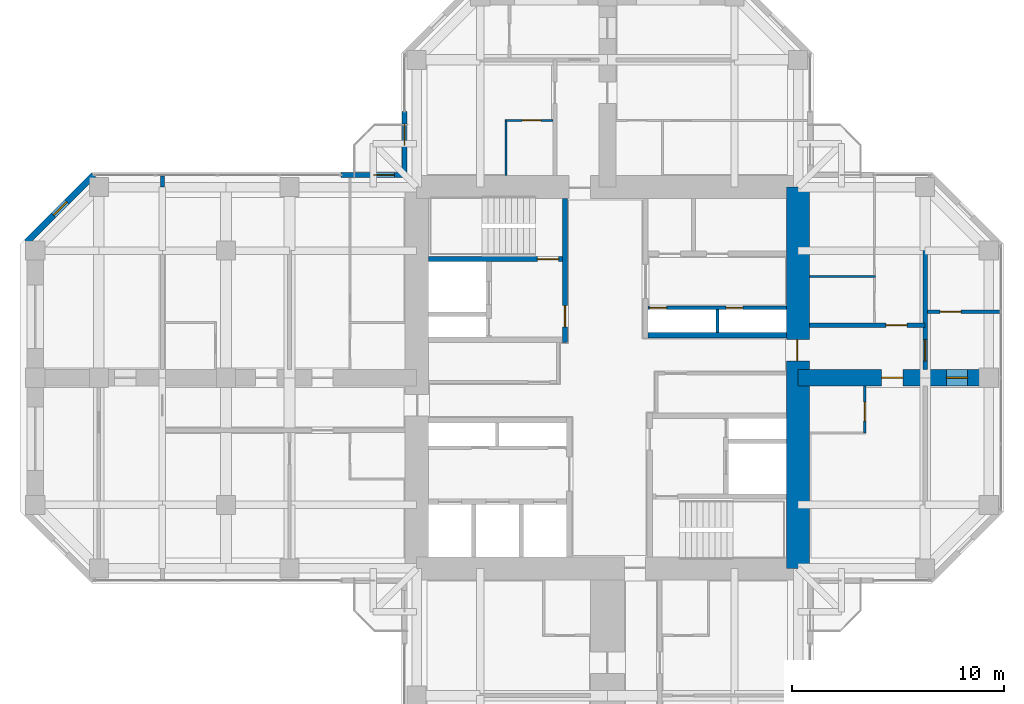
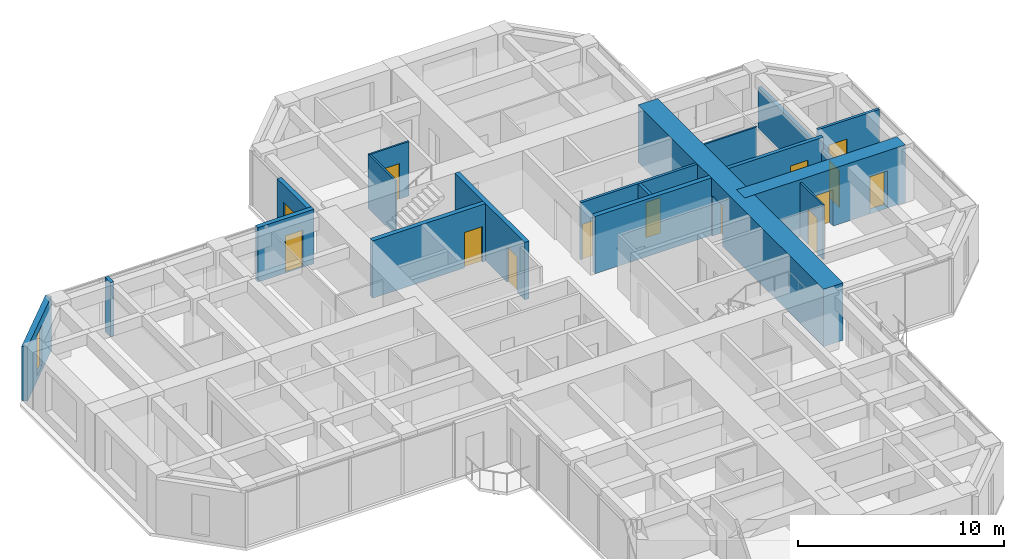
# One storey, part 11 of 14: 18 walls, 14 doors, 1 window, 15 openings.
"""IFC4 building model written with IfcOpenShell, lengths in metres."""

import ifcopenshell
import ifcopenshell.guid

model = None  # the IFC model being written
_history = None  # IfcOwnerHistory: only IFC2X3 demands one
_inside = {}  # id of a spatial element -> (the spatial element, [elements in it])
_under = {}  # id of a project, library or spatial element -> (it, [spatial elements below it])
_declared = {}  # id of a project -> (the project, [libraries it declares])
_typed = {}  # id of a type object -> (the type object, [elements of that type])
_made_of = {}  # id of a material, layer set ... -> (it, [elements and type objects made of it])


def new_model(schema):
    """Start an empty IFC model of exactly this schema.

    Asked for "IFC4X3", IfcOpenShell would pick the latest addendum, in which some entities
    have other attributes; the version numbers below select the first issue.
    IFC2X3 requires an IfcOwnerHistory on every rooted entity: one is made here for all.
    """
    global model, _history
    if schema == "IFC4X3":
        model = ifcopenshell.file(schema_version=(4, 3, 0, 0))
    else:
        model = ifcopenshell.file(schema=schema)
    _inside.clear()
    _under.clear()
    _declared.clear()
    _typed.clear()
    _made_of.clear()
    _history = None
    if model.schema == "IFC2X3":
        org = make("IfcOrganization", Name="unknown")
        user = make(
            "IfcPersonAndOrganization",
            ThePerson=make("IfcPerson", FamilyName="unknown"),
            TheOrganization=org,
        )
        app = make(
            "IfcApplication",
            ApplicationDeveloper=org,
            Version="unknown",
            ApplicationFullName="unknown",
            ApplicationIdentifier="unknown",
        )
        _history = make(
            "IfcOwnerHistory",
            OwningUser=user,
            OwningApplication=app,
            ChangeAction="ADDED",
            CreationDate=0,
        )
    return model


def make(cls, **values):
    """One entity of the class cls with the attributes given. An attribute that is None is left unset."""
    return model.create_entity(
        cls, **{name: value for name, value in values.items() if value is not None}
    )


def rooted(cls, **values):
    """An entity with a GlobalId (a new one), such as an element, a storey or a relation."""
    return make(cls, GlobalId=ifcopenshell.guid.new(), OwnerHistory=_history, **values)


def si_unit(unit_type, name, prefix=None):
    """IfcSIUnit, for example si_unit("LENGTHUNIT", "METRE", prefix="MILLI")."""
    return make("IfcSIUnit", UnitType=unit_type, Prefix=prefix, Name=name)


def assignment(units):
    """IfcUnitAssignment: the units of a project."""
    return None if units is None else make("IfcUnitAssignment", Units=units)


def point(xyz):
    """IfcCartesianPoint."""
    return None if xyz is None else make("IfcCartesianPoint", Coordinates=xyz)


def direction(xyz):
    """IfcDirection."""
    return None if xyz is None else make("IfcDirection", DirectionRatios=xyz)


def frame(location, z_axis=None, x_axis=None):
    """IfcAxis2Placement3D, a coordinate frame: its origin and axes. An axis left out is left unset."""
    return make(
        "IfcAxis2Placement3D",
        Location=point(location),
        Axis=direction(z_axis),
        RefDirection=direction(x_axis),
    )


def frame_2d(location, x_axis=None):
    """IfcAxis2Placement2D, a coordinate frame in the plane: its origin and x axis."""
    return make(
        "IfcAxis2Placement2D", Location=point(location), RefDirection=direction(x_axis)
    )


def origin():
    """The frame at (0, 0, 0) with its axes left unset."""
    return frame((0.0, 0.0, 0.0))


def place(relative_to, where):
    """IfcLocalPlacement: puts the frame where relative to a parent placement (None: the world)."""
    return make(
        "IfcLocalPlacement", PlacementRelTo=relative_to, RelativePlacement=where
    )


def context(
    kind, dimensions, precision=None, world=None, true_north=None, identifier=None
):
    """IfcGeometricRepresentationContext, for example the 3D "Model" context."""
    return make(
        "IfcGeometricRepresentationContext",
        ContextIdentifier=identifier,
        ContextType=kind,
        CoordinateSpaceDimension=dimensions,
        Precision=precision,
        WorldCoordinateSystem=world,
        TrueNorth=true_north,
    )


def subcontext(parent, identifier, kind, view, scale=None):
    """IfcGeometricRepresentationSubContext, for example "Body" below "Model"."""
    return make(
        "IfcGeometricRepresentationSubContext",
        ContextIdentifier=identifier,
        ContextType=kind,
        ParentContext=parent,
        TargetScale=scale,
        TargetView=view,
    )


def project(units=None, contexts=None):
    """IfcProject with its units and contexts."""
    return rooted(
        "IfcProject",
        Name="project",
        RepresentationContexts=contexts,
        UnitsInContext=assignment(units),
    )


def spatial(cls, under=None, at=None, **own):
    """A site, building, storey or space (cls), placed at a placement, below another one or the project."""
    s = rooted(cls, ObjectPlacement=at, **own)
    if under is not None:
        _under.setdefault(under.id(), (under, []))[1].append(s)
    return s


def profile(cls, at=None, kind="AREA", **sizes):
    """A parametric profile (cls). Its sizes go by their IFC names, for example OverallWidth=200.0."""
    return make(cls, ProfileType=kind, Position=at, **sizes)


def rectangle(**sizes):
    """IfcRectangleProfileDef."""
    return profile("IfcRectangleProfileDef", **sizes)


def hollow_rectangle(**sizes):
    """IfcRectangleHollowProfileDef."""
    return profile("IfcRectangleHollowProfileDef", **sizes)


def extrude(swept, where, along, depth):
    """IfcExtrudedAreaSolid: the profile swept, set in the frame where, extruded along a direction by depth."""
    return make(
        "IfcExtrudedAreaSolid",
        SweptArea=swept,
        Position=where,
        ExtrudedDirection=direction(along),
        Depth=depth,
    )


def shape(context_of_items, identifier, shape_type, items):
    """IfcShapeRepresentation: the items that make up one representation, for example the "Body"."""
    return make(
        "IfcShapeRepresentation",
        ContextOfItems=context_of_items,
        RepresentationIdentifier=identifier,
        RepresentationType=shape_type,
        Items=items,
    )


def material(Name=None, Category=None):
    """IfcMaterial."""
    return make("IfcMaterial", Name=Name, Category=Category)


def layer(
    of_material, thickness, ventilated=None, Name=None, Category=None, Priority=None
):
    """IfcMaterialLayer: one layer of a wall or slab, of a material (None: an air gap)."""
    return make(
        "IfcMaterialLayer",
        Material=of_material,
        LayerThickness=thickness,
        IsVentilated=ventilated,
        Name=Name,
        Category=Category,
        Priority=Priority,
    )


def layer_set(layers, Name=None):
    """IfcMaterialLayerSet."""
    return make("IfcMaterialLayerSet", MaterialLayers=layers, LayerSetName=Name)


def constituent(of_material, Name=None, Category=None, fraction=None):
    """IfcMaterialConstituent: one of the materials an element consists of."""
    return make(
        "IfcMaterialConstituent",
        Name=Name,
        Material=of_material,
        Fraction=fraction,
        Category=Category,
    )


def constituent_set(constituents=None, Name=None):
    """IfcMaterialConstituentSet."""
    return make(
        "IfcMaterialConstituentSet", Name=Name, MaterialConstituents=constituents
    )


def made_of(thing, what):
    """Note that an element or type object is made of a material, layer set ...; save() writes the relation."""
    if what is not None:
        _made_of.setdefault(what.id(), (what, []))[1].append(thing)
    return thing


def type_object(cls, material=None, **own):
    """A type object (cls), such as IfcWallType, which elements share."""
    return made_of(rooted(cls, **own), material)


def element(
    cls,
    number,
    at=None,
    inside=None,
    cuts=None,
    type_object=None,
    material=None,
    context=None,
    identifier="Body",
    shape_type=None,
    held_by="IfcProductDefinitionShape",
    body=None,
    shapes=None,
    **own,
):
    """One element of the class cls, such as IfcWall. Its Tag is "e" and its number.

    at: its placement. inside: the storey or other place that contains it. cuts: it is an
    opening in that element (IfcRelVoidsElement). A single representation is given by context,
    identifier, shape_type and body (its items); several are given by shapes. held_by: the class
    of the entity that holds the representations. save() writes the other relations.
    """
    e = rooted(cls, Tag="e%d" % number, ObjectPlacement=at, **own)
    if body is not None:
        shapes = [shape(context, identifier, shape_type, body)]
    if shapes is not None:
        e.Representation = make(held_by, Representations=shapes)
    if inside is not None:
        _inside.setdefault(inside.id(), (inside, []))[1].append(e)
    if cuts is not None:
        rooted(
            "IfcRelVoidsElement", RelatingBuildingElement=cuts, RelatedOpeningElement=e
        )
    if type_object is not None:
        _typed.setdefault(type_object.id(), (type_object, []))[1].append(e)
    return made_of(e, material)


def fill(opening, filler):
    """IfcRelFillsElement: the door or window that sits in an opening."""
    return rooted(
        "IfcRelFillsElement",
        RelatingOpeningElement=opening,
        RelatedBuildingElement=filler,
    )


def aggregate(whole, parts):
    """IfcRelAggregates: a whole, such as a stair, and the parts it consists of."""
    return rooted("IfcRelAggregates", RelatingObject=whole, RelatedObjects=parts)


def save(model, path):
    """Write the relations noted so far, then the file.

    IfcRelAggregates (storeys below a building ...), IfcRelContainedInSpatialStructure (elements
    in a storey), IfcRelDefinesByType, IfcRelAssociatesMaterial and IfcRelDeclares: one each for
    every whole, place, type object, material and project.
    """
    for whole, parts in _under.values():
        aggregate(whole, parts)
    for where, things in _inside.values():
        rooted(
            "IfcRelContainedInSpatialStructure",
            RelatedElements=things,
            RelatingStructure=where,
        )
    for kind, things in _typed.values():
        rooted("IfcRelDefinesByType", RelatedObjects=things, RelatingType=kind)
    for what, things in _made_of.values():
        rooted("IfcRelAssociatesMaterial", RelatedObjects=things, RelatingMaterial=what)
    for by, libraries in _declared.values():
        rooted("IfcRelDeclares", RelatingContext=by, RelatedDefinitions=libraries)
    model.write(path)


model = new_model("IFC4")

# Units and contexts
model_context = context("Model", 3, precision=1e-05, world=origin(), true_north=direction((0.0, 1.0)))
body_context = subcontext(model_context, "Body", "Model", "MODEL_VIEW")
ifc_project = project(units=[si_unit("LENGTHUNIT", "METRE"), si_unit("AREAUNIT", "SQUARE_METRE"), si_unit("VOLUMEUNIT", "CUBIC_METRE"), si_unit("PLANEANGLEUNIT", "RADIAN"), si_unit("MASSUNIT", "GRAM", prefix="KILO")], contexts=[model_context])

# Site, building, storey
site_placement = place(None, origin())
site = spatial("IfcSite", under=ifc_project, at=site_placement, CompositionType="ELEMENT")
building_placement = place(site_placement, origin())
building = spatial("IfcBuilding", under=site, at=building_placement, Name="Torre Cruceta", CompositionType="ELEMENT")
storey_placement = place(building_placement, frame((0.0, 0.0, 203.5)))
storey = spatial("IfcBuildingStorey", under=building, at=storey_placement, Name="L51", CompositionType="ELEMENT", Elevation=203.5)

# Wall
ifc_material_1 = material(Name="Water-resistant plasterboard on steel studs", Category="steel")
ifc_layer_1 = layer(ifc_material_1, 0.10009765625)
ifc_layer_set_1 = layer_set([ifc_layer_1], Name="Water-resistant plasterboard on steel studs")
wall_type_1 = type_object("IfcWallType", Name="BATHROOM WALL 100", PredefinedType="PARTITIONING", material=ifc_layer_set_1)
wall_1_placement = place(storey_placement, frame((-4.77490234375, 9.550048828125, 0.0), z_axis=(0.0, 0.0, 1.0), x_axis=(0.0, 1.0, 0.0)))
element("IfcWall", 1, at=wall_1_placement, inside=storey, type_object=wall_type_1, Name="PT4 L51-N-U1LBB", PredefinedType="PARTITIONING", context=body_context, shape_type="SweptSolid", body=[
    extrude(rectangle(XDim=2.64990234375, YDim=0.10009765625, at=frame_2d((1.324951171875, 0.0))), origin(), (0.0, 0.0, 1.0), 3.219970703125),
])

# Wall, opening, door
wall_2_placement = place(storey_placement, frame((-2.574951171875, 12.14990234375, 0.0), z_axis=(0.0, 0.0, 1.0), x_axis=(-1.0, 0.0, 0.0)))
wall_2 = element("IfcWall", 2, at=wall_2_placement, inside=storey, type_object=wall_type_1, Name="PT4 L51-N-U1LBS", PredefinedType="PARTITIONING", context=body_context, shape_type="SweptSolid", body=[
    extrude(rectangle(XDim=2.199951171875, YDim=0.10009765625, at=frame_2d((1.10009765625, 0.0))), origin(), (0.0, 0.0, 1.0), 3.219970703125),
])
opening_1_placement = place(wall_2_placement, frame((0.550048828125, 0.0, 0.0)))
opening_1 = element("IfcOpeningElement", 3, at=opening_1_placement, cuts=wall_2, Name="Opening D7", PredefinedType="OPENING", context=body_context, shape_type="SweptSolid", body=[
    extrude(rectangle(XDim=0.89990234375, YDim=2.10009765625, at=frame_2d((0.449951171875, 1.050048828125))), frame((0.0, 0.06005859375, 0.0), z_axis=(0.0, -1.0, 0.0), x_axis=(1.0, 0.0, 0.0)), (0.0, 0.0, 1.0), 0.1201171875),
])
ifc_material_2 = material(Name="Timber door", Category="wood")
door_type_1 = type_object("IfcDoorType", Name="BATHROOM DOOR 900X2100", OperationType="SINGLE_SWING_LEFT", PredefinedType="DOOR", material=ifc_material_2)
door_1_placement = place(opening_1_placement, origin())
door_1 = element("IfcDoor", 4, at=door_1_placement, inside=storey, type_object=door_type_1, Name="D7 L51-N-U1LBS-D1", OperationType="SINGLE_SWING_LEFT", OverallHeight=2.10009765625, OverallWidth=0.89990234375, PredefinedType="DOOR", context=body_context, shape_type="SweptSolid", body=[
    extrude(rectangle(XDim=0.89990234375, YDim=2.10009765625, at=frame_2d((0.449951171875, 1.050048828125))), frame((0.0, 0.02490234375, 0.0), z_axis=(0.0, -1.0, 0.0), x_axis=(1.0, 0.0, 0.0)), (0.0, 0.0, 1.0), 0.050048828125),
])
fill(opening_1, door_1)

# Wall
wall_3_placement = place(storey_placement, frame((9.550048828125, 4.77490234375, 0.0), z_axis=(0.0, 0.0, 1.0), x_axis=(1.0, 0.0, 0.0)))
element("IfcWall", 5, at=wall_3_placement, inside=storey, type_object=wall_type_1, Name="PT4 L51-E-U1LBB", PredefinedType="PARTITIONING", context=body_context, shape_type="SweptSolid", body=[
    extrude(rectangle(XDim=3.099853515625, YDim=0.10009765625, at=frame_2d((1.5498046875, 0.0))), origin(), (0.0, 0.0, 1.0), 3.219970703125),
])

# Wall, opening, door
wall_4_placement = place(storey_placement, frame((12.14990234375, -2.60009765625, 0.0), z_axis=(0.0, 0.0, 1.0), x_axis=(0.0, 1.0, 0.0)))
wall_4 = element("IfcWall", 6, at=wall_4_placement, inside=storey, type_object=wall_type_1, Name="PT4 L51-E-U1RBS", PredefinedType="PARTITIONING", context=body_context, shape_type="SweptSolid", body=[
    extrude(rectangle(XDim=2.2001953125, YDim=0.10009765625, at=frame_2d((1.10009765625, 0.0))), origin(), (0.0, 0.0, 1.0), 3.219970703125),
])
opening_2_placement = place(wall_4_placement, frame((0.550048828125, 0.0, 0.0)))
opening_2 = element("IfcOpeningElement", 7, at=opening_2_placement, cuts=wall_4, Name="Opening D7", PredefinedType="OPENING", context=body_context, shape_type="SweptSolid", body=[
    extrude(rectangle(XDim=0.89990234375, YDim=2.10009765625, at=frame_2d((0.449951171875, 1.050048828125))), frame((0.0, 0.06005859375, 0.0), z_axis=(0.0, -1.0, 0.0), x_axis=(1.0, 0.0, 0.0)), (0.0, 0.0, 1.0), 0.1201171875),
])
door_2_placement = place(opening_2_placement, origin())
door_2 = element("IfcDoor", 8, at=door_2_placement, inside=storey, type_object=door_type_1, Name="D7 L51-E-U1RBS-D1", OperationType="SINGLE_SWING_LEFT", OverallHeight=2.10009765625, OverallWidth=0.89990234375, PredefinedType="DOOR", context=body_context, shape_type="SweptSolid", body=[
    extrude(rectangle(XDim=0.89990234375, YDim=2.10009765625, at=frame_2d((0.449951171875, 1.050048828125))), frame((0.0, 0.02490234375, 0.0), z_axis=(0.0, -1.0, 0.0), x_axis=(1.0, 0.0, 0.0)), (0.0, 0.0, 1.0), 0.050048828125),
])
fill(opening_2, door_2)

# Wall
ifc_material_3 = material(Name="Concrete G60 (fck 60 MPa)", Category="concrete")
ifc_layer_2 = layer(ifc_material_3, 0.25)
ifc_layer_set_2 = layer_set([ifc_layer_2], Name="Concrete G60 (fck 60 MPa)")
wall_type_2 = type_object("IfcWallType", Name="CORE INNER WALL 250 G60", PredefinedType="SHEAR", material=ifc_layer_set_2)
wall_5_placement = place(storey_placement, frame((1.925048828125, 2.0, 0.0), z_axis=(0.0, 0.0, 1.0), x_axis=(1.0, 0.0, 0.0)))
element("IfcWall", 9, at=wall_5_placement, inside=storey, type_object=wall_type_2, Name="CW4 L51 NE-CV", PredefinedType="SHEAR", context=body_context, shape_type="SweptSolid", body=[
    extrude(rectangle(XDim=6.52490234375, YDim=0.25, at=frame_2d((3.262451171875, 0.0))), origin(), (0.0, 0.0, 1.0), 3.39990234375),
])

# Wall, opening, door
wall_6_placement = place(storey_placement, frame((-2.0, 1.675048828125, 0.0), z_axis=(0.0, 0.0, 1.0), x_axis=(0.0, 1.0, 0.0)))
wall_6 = element("IfcWall", 10, at=wall_6_placement, inside=storey, type_object=wall_type_2, Name="CW4 L51 NW-CU", PredefinedType="SHEAR", context=body_context, shape_type="SweptSolid", body=[
    extrude(rectangle(XDim=6.77490234375, YDim=0.25, at=frame_2d((3.387451171875, 0.0))), origin(), (0.0, 0.0, 1.0), 3.39990234375),
])
opening_3_placement = place(wall_6_placement, frame((0.72509765625, 0.0, 0.0)))
opening_3 = element("IfcOpeningElement", 11, at=opening_3_placement, cuts=wall_6, Name="Opening D3", PredefinedType="OPENING", context=body_context, shape_type="SweptSolid", body=[
    extrude(rectangle(XDim=1.0, YDim=2.10009765625, at=frame_2d((0.5, 1.050048828125))), frame((0.0, 0.135009765625, 0.0), z_axis=(0.0, -1.0, 0.0), x_axis=(1.0, 0.0, 0.0)), (0.0, 0.0, 1.0), 0.27001953125),
])
ifc_material_4 = material(Name="Steel DX51D", Category="steel")
ifc_constituent_1 = constituent(ifc_material_4, Name="Leaf and frame")
ifc_material_5 = material(Name="Polyester powder coating", Category="paint")
ifc_constituent_2 = constituent(ifc_material_5, Name="Finish")
ifc_constituent_set_1 = constituent_set(constituents=[ifc_constituent_1, ifc_constituent_2], Name="Steel fire door")
door_type_2 = type_object("IfcDoorType", Name="FIRE DOOR 1000X2100", OperationType="SINGLE_SWING_LEFT", PredefinedType="DOOR", material=ifc_constituent_set_1)
door_3_placement = place(opening_3_placement, origin())
door_3 = element("IfcDoor", 12, at=door_3_placement, inside=storey, type_object=door_type_2, Name="D3 L51 NW-LOBBY", OperationType="SINGLE_SWING_LEFT", OverallHeight=2.10009765625, OverallWidth=1.0, PredefinedType="DOOR", context=body_context, shape_type="SweptSolid", body=[
    extrude(rectangle(XDim=1.0, YDim=2.10009765625, at=frame_2d((0.5, 1.050048828125))), frame((0.0, 0.02490234375, 0.0), z_axis=(0.0, -1.0, 0.0), x_axis=(1.0, 0.0, 0.0)), (0.0, 0.0, 1.0), 0.050048828125),
])
fill(opening_3, door_3)

wall_7_placement = place(storey_placement, frame((-2.125, 5.60009765625, 0.0), z_axis=(0.0, 0.0, 1.0), x_axis=(-1.0, 0.0, 0.0)))
wall_7 = element("IfcWall", 13, at=wall_7_placement, inside=storey, type_object=wall_type_2, Name="CW4 L51 NW-SV", PredefinedType="SHEAR", context=body_context, shape_type="SweptSolid", body=[
    extrude(rectangle(XDim=6.324951171875, YDim=0.25, at=frame_2d((3.16259765625, 0.0))), origin(), (0.0, 0.0, 1.0), 3.39990234375),
])
opening_4_placement = place(wall_7_placement, frame((0.175048828125, 0.0, 0.0)))
opening_4 = element("IfcOpeningElement", 14, at=opening_4_placement, cuts=wall_7, Name="Opening D3", PredefinedType="OPENING", context=body_context, shape_type="SweptSolid", body=[
    extrude(rectangle(XDim=1.0, YDim=2.10009765625, at=frame_2d((0.5, 1.050048828125))), frame((0.0, 0.135009765625, 0.0), z_axis=(0.0, -1.0, 0.0), x_axis=(1.0, 0.0, 0.0)), (0.0, 0.0, 1.0), 0.27001953125),
])
door_4_placement = place(opening_4_placement, frame((1.0, 0.0, 0.0), z_axis=(0.0, 0.0, 1.0), x_axis=(-1.0, 0.0, 0.0)))
door_4 = element("IfcDoor", 15, at=door_4_placement, inside=storey, type_object=door_type_2, Name="D3 L51 NW-STAIR", OperationType="SINGLE_SWING_RIGHT", OverallHeight=2.10009765625, OverallWidth=1.0, PredefinedType="DOOR", context=body_context, shape_type="SweptSolid", body=[
    extrude(rectangle(XDim=1.0, YDim=2.10009765625, at=frame_2d((0.5, 1.050048828125))), frame((0.0, 0.025146484375, 0.0), z_axis=(0.0, -1.0, 0.0), x_axis=(1.0, 0.0, 0.0)), (0.0, 0.0, 1.0), 0.050048828125),
])
fill(opening_4, door_4)

ifc_material_6 = material(Name="Concrete G60 (fck 60 MPa)", Category="concrete")
ifc_layer_3 = layer(ifc_material_6, 1.10009765625)
ifc_layer_set_3 = layer_set([ifc_layer_3], Name="Concrete G60 (fck 60 MPa)")
wall_type_3 = type_object("IfcWallType", Name="CORE WALL 1100 G60", PredefinedType="SHEAR", material=ifc_layer_set_3)
wall_8_placement = place(storey_placement, frame((9.0, -9.0, 0.0), z_axis=(0.0, 0.0, 1.0), x_axis=(0.0, 1.0, 0.0)))
wall_8 = element("IfcWall", 16, at=wall_8_placement, inside=storey, type_object=wall_type_3, Name="CW2 L51 CW-E", PredefinedType="SHEAR", context=body_context, shape_type="SweptSolid", body=[
    extrude(rectangle(XDim=18.0, YDim=1.10009765625, at=frame_2d((9.0, 0.0))), origin(), (0.0, 0.0, 1.0), 3.39990234375),
])
opening_5_placement = place(wall_8_placement, frame((9.800048828125, 0.0, 0.0)))
opening_5 = element("IfcOpeningElement", 17, at=opening_5_placement, cuts=wall_8, Name="Opening D4", PredefinedType="OPENING", context=body_context, shape_type="SweptSolid", body=[
    extrude(rectangle(XDim=1.0, YDim=2.39990234375, at=frame_2d((0.5, 1.199951171875))), frame((0.0, 0.56005859375, 0.0), z_axis=(0.0, -1.0, 0.0), x_axis=(1.0, 0.0, 0.0)), (0.0, 0.0, 1.0), 1.1201171875),
])
ifc_material_7 = material(Name="Steel DX51D", Category="steel")
ifc_constituent_3 = constituent(ifc_material_7, Name="Leaf and frame")
ifc_material_8 = material(Name="Polyester powder coating", Category="paint")
ifc_constituent_4 = constituent(ifc_material_8, Name="Finish")
ifc_constituent_set_2 = constituent_set(constituents=[ifc_constituent_3, ifc_constituent_4], Name="Steel fire door")
door_type_3 = type_object("IfcDoorType", Name="CORE ARM DOOR 1000X2400", OperationType="SINGLE_SWING_RIGHT", PredefinedType="DOOR", material=ifc_constituent_set_2)
door_5_placement = place(opening_5_placement, origin())
door_5 = element("IfcDoor", 18, at=door_5_placement, inside=storey, type_object=door_type_3, Name="D4 L51 CW-E", OperationType="SINGLE_SWING_RIGHT", OverallHeight=2.39990234375, OverallWidth=1.0, PredefinedType="DOOR", context=body_context, shape_type="SweptSolid", body=[
    extrude(rectangle(XDim=1.0, YDim=2.39990234375, at=frame_2d((0.5, 1.199951171875))), frame((0.0, 0.05517578125, 0.0), z_axis=(0.0, -1.0, 0.0), x_axis=(1.0, 0.0, 0.0)), (0.0, 0.0, 1.0), 0.050048828125),
])
fill(opening_5, door_5)

ifc_material_9 = material(Name="Concrete G25 (fck 25 MPa)", Category="concrete")
ifc_layer_4 = layer(ifc_material_9, 0.199951171875)
ifc_layer_set_4 = layer_set([ifc_layer_4], Name="Concrete G25 (fck 25 MPa)")
wall_type_4 = type_object("IfcWallType", Name="CORRIDOR WALL 200", PredefinedType="SOLIDWALL", material=ifc_layer_set_4)
wall_9_placement = place(storey_placement, frame((9.550048828125, 2.47509765625, 0.0), z_axis=(0.0, 0.0, 1.0), x_axis=(1.0, 0.0, 0.0)))
wall_9 = element("IfcWall", 19, at=wall_9_placement, inside=storey, type_object=wall_type_4, Name="PT3 L51-E-CL", PredefinedType="SOLIDWALL", context=body_context, shape_type="SweptSolid", body=[
    extrude(rectangle(XDim=5.449951171875, YDim=0.199951171875, at=frame_2d((2.72509765625, 0.0))), origin(), (0.0, 0.0, 1.0), 3.219970703125),
])
opening_6_placement = place(wall_9_placement, frame((3.60009765625, 0.0, 0.0)))
opening_6 = element("IfcOpeningElement", 20, at=opening_6_placement, cuts=wall_9, Name="Opening D6", PredefinedType="OPENING", context=body_context, shape_type="SweptSolid", body=[
    extrude(rectangle(XDim=1.0, YDim=2.14990234375, at=frame_2d((0.5, 1.074951171875))), frame((0.0, 0.10986328125, 0.0), z_axis=(0.0, -1.0, 0.0), x_axis=(1.0, 0.0, 0.0)), (0.0, 0.0, 1.0), 0.219970703125),
])
ifc_material_10 = material(Name="Timber fire door", Category="wood")
door_type_4 = type_object("IfcDoorType", Name="UNIT ENTRANCE DOOR 1000X2150", OperationType="SINGLE_SWING_LEFT", PredefinedType="DOOR", material=ifc_material_10)
door_6_placement = place(opening_6_placement, origin())
door_6 = element("IfcDoor", 21, at=door_6_placement, inside=storey, type_object=door_type_4, Name="D6 L51-E-CL-D1", OperationType="SINGLE_SWING_LEFT", OverallHeight=2.14990234375, OverallWidth=1.0, PredefinedType="DOOR", context=body_context, shape_type="SweptSolid", body=[
    extrude(rectangle(XDim=1.0, YDim=2.14990234375, at=frame_2d((0.5, 1.074951171875))), frame((0.0, 0.02490234375, 0.0), z_axis=(0.0, -1.0, 0.0), x_axis=(1.0, 0.0, 0.0)), (0.0, 0.0, 1.0), 0.050048828125),
])
fill(opening_6, door_6)

# Wall, opening, window
ifc_material_11 = material(Name="Concrete G30 (fck 30 MPa)", Category="concrete")
ifc_layer_5 = layer(ifc_material_11, 0.300048828125)
ifc_layer_set_5 = layer_set([ifc_layer_5], Name="Concrete G30 (fck 30 MPa)")
wall_type_5 = type_object("IfcWallType", Name="EXPOSED CONCRETE FACADE WALL 300", PredefinedType="SOLIDWALL", material=ifc_layer_set_5)
wall_10_placement = place(storey_placement, frame((-24.236083984375, 9.570068359375, 0.0), z_axis=(0.0, 0.0, 1.0), x_axis=(-0.707079499254, -0.707134062067, 0.0)))
wall_10 = element("IfcWall", 22, at=wall_10_placement, inside=storey, type_object=wall_type_5, Name="EW1 facade wall L51 W chamfer 11", PredefinedType="SOLIDWALL", context=body_context, shape_type="SweptSolid", body=[
    extrude(rectangle(XDim=4.474609375, YDim=0.300048828125, at=frame_2d((2.2373046875, 0.0))), origin(), (0.0, 0.0, 1.0), 3.219970703125),
])
opening_7_placement = place(wall_10_placement, frame((1.787109375, 0.0, 0.300048828125)))
opening_7 = element("IfcOpeningElement", 23, at=opening_7_placement, cuts=wall_10, Name="Opening WN5", PredefinedType="OPENING", context=body_context, shape_type="SweptSolid", body=[
    extrude(rectangle(XDim=0.89990234375, YDim=2.39990234375, at=frame_2d((0.449951171875, 1.199951171875))), frame((0.0, 0.159912109375, 0.0), z_axis=(0.0, -1.0, 0.0), x_axis=(1.0, 0.0, 0.0)), (0.0, 0.0, 1.0), 0.320068359375),
])
ifc_material_12 = material(Name="Aluminium window frame", Category="aluminium")
ifc_constituent_5 = constituent(ifc_material_12, Name="Frame")
ifc_material_13 = material(Name="Laminated insulating glass unit, low-iron clear", Category="glass")
ifc_constituent_6 = constituent(ifc_material_13, Name="Glazing")
ifc_constituent_set_3 = constituent_set(constituents=[ifc_constituent_5, ifc_constituent_6], Name="Aluminium window")
window_type = type_object("IfcWindowType", Name="CHAMFER SLOT WINDOW 900X2400", PartitioningType="SINGLE_PANEL", PredefinedType="WINDOW", material=ifc_constituent_set_3)
window_placement = place(opening_7_placement, origin())
window = element("IfcWindow", 24, at=window_placement, inside=storey, type_object=window_type, Name="WN5 L51 W 1", OverallHeight=2.39990234375, OverallWidth=0.89990234375, PartitioningType="SINGLE_PANEL", PredefinedType="WINDOW", context=body_context, shape_type="SweptSolid", body=[
    extrude(hollow_rectangle(XDim=0.89990234375, YDim=2.39990234375, WallThickness=0.06005859375, at=frame_2d((0.449951171875, 1.199951171875))), frame((0.0, 0.030029296875, 0.0), z_axis=(0.0, -1.0, 0.0), x_axis=(1.0, 0.0, 0.0)), (0.0, 0.0, 1.0), 0.06005859375),
    extrude(rectangle(XDim=0.77880859375, YDim=2.27880859375, at=frame_2d((0.449951171875, 1.199951171875))), frame((0.0, 0.030029296875, 0.0), z_axis=(0.0, -1.0, 0.0), x_axis=(1.0, 0.0, 0.0)), (0.0, 0.0, 1.0), 0.06005859375),
])
fill(opening_7, window)

# Wall, opening, door
ifc_material_14 = material(Name="Plasterboard on steel studs", Category="steel")
ifc_layer_6 = layer(ifc_material_14, 0.14990234375)
ifc_layer_set_6 = layer_set([ifc_layer_6], Name="Plasterboard on steel studs")
wall_type_6 = type_object("IfcWallType", Name="PARTITION 150", PredefinedType="PARTITIONING", material=ifc_layer_set_6)
wall_11_placement = place(storey_placement, frame((15.10009765625, 3.117919921875, 0.0), z_axis=(0.0, 0.0, 1.0), x_axis=(1.0, 0.0, 0.0)))
wall_11 = element("IfcWall", 25, at=wall_11_placement, inside=storey, type_object=wall_type_6, Name="PT1 L51-E-ENDX", PredefinedType="PARTITIONING", context=body_context, shape_type="SweptSolid", body=[
    extrude(rectangle(XDim=3.429931640625, YDim=0.14990234375, at=frame_2d((1.71484375, 0.0))), origin(), (0.0, 0.0, 1.0), 3.219970703125),
])
opening_8_placement = place(wall_11_placement, frame((0.60009765625, 0.0, 0.0)))
opening_8 = element("IfcOpeningElement", 26, at=opening_8_placement, cuts=wall_11, Name="Opening D3", PredefinedType="OPENING", context=body_context, shape_type="SweptSolid", body=[
    extrude(rectangle(XDim=1.0, YDim=2.10009765625, at=frame_2d((0.5, 1.050048828125))), frame((0.0, 0.0849609375, 0.0), z_axis=(0.0, -1.0, 0.0), x_axis=(1.0, 0.0, 0.0)), (0.0, 0.0, 1.0), 0.169921875),
])
door_7_placement = place(opening_8_placement, frame((1.0, 0.0, 0.0), z_axis=(0.0, 0.0, 1.0), x_axis=(-1.0, 0.0, 0.0)))
door_7 = element("IfcDoor", 27, at=door_7_placement, inside=storey, type_object=door_type_2, Name="D3 L51-E-ENDX-D1", OperationType="SINGLE_SWING_RIGHT", OverallHeight=2.10009765625, OverallWidth=1.0, PredefinedType="DOOR", context=body_context, shape_type="SweptSolid", body=[
    extrude(rectangle(XDim=1.0, YDim=2.10009765625, at=frame_2d((0.5, 1.050048828125))), frame((0.0, 0.025146484375, 0.0), z_axis=(0.0, -1.0, 0.0), x_axis=(1.0, 0.0, 0.0)), (0.0, 0.0, 1.0), 0.050048828125),
])
fill(opening_8, door_7)

# Wall, openings, doors
ifc_material_15 = material(Name="Concrete block masonry", Category="masonry")
ifc_layer_7 = layer(ifc_material_15, 0.14990234375)
ifc_layer_set_7 = layer_set([ifc_layer_7], Name="Concrete block masonry")
wall_type_7 = type_object("IfcWallType", Name="RISER WALL 150", PredefinedType="PARTITIONING", material=ifc_layer_set_7)
wall_12_placement = place(storey_placement, frame((1.925048828125, 3.300048828125, 0.0), z_axis=(0.0, 0.0, 1.0), x_axis=(1.0, 0.0, 0.0)))
wall_12 = element("IfcWall", 28, at=wall_12_placement, inside=storey, type_object=wall_type_7, Name="SW7 L51 NE-RV", PredefinedType="PARTITIONING", context=body_context, shape_type="SweptSolid", body=[
    extrude(rectangle(XDim=6.52490234375, YDim=0.14990234375, at=frame_2d((3.262451171875, 0.0))), origin(), (0.0, 0.0, 1.0), 3.39990234375),
])
opening_9_placement = place(wall_12_placement, frame((0.074951171875, 0.0, 0.0)))
opening_9 = element("IfcOpeningElement", 29, at=opening_9_placement, cuts=wall_12, Name="Opening D5", PredefinedType="OPENING", context=body_context, shape_type="SweptSolid", body=[
    extrude(rectangle(XDim=0.800048828125, YDim=2.10009765625, at=frame_2d((0.39990234375, 1.050048828125))), frame((0.0, 0.0849609375, 0.0), z_axis=(0.0, -1.0, 0.0), x_axis=(1.0, 0.0, 0.0)), (0.0, 0.0, 1.0), 0.169921875),
])
opening_10_placement = place(wall_12_placement, frame((3.675048828125, 0.0, 0.0)))
opening_10 = element("IfcOpeningElement", 30, at=opening_10_placement, cuts=wall_12, Name="Opening D5", PredefinedType="OPENING", context=body_context, shape_type="SweptSolid", body=[
    extrude(rectangle(XDim=0.800048828125, YDim=2.10009765625, at=frame_2d((0.39990234375, 1.050048828125))), frame((0.0, 0.0849609375, 0.0), z_axis=(0.0, -1.0, 0.0), x_axis=(1.0, 0.0, 0.0)), (0.0, 0.0, 1.0), 0.169921875),
])
ifc_material_16 = material(Name="Steel DX51D", Category="steel")
ifc_constituent_7 = constituent(ifc_material_16, Name="Leaf and frame")
ifc_material_17 = material(Name="Polyester powder coating", Category="paint")
ifc_constituent_8 = constituent(ifc_material_17, Name="Finish")
ifc_constituent_set_4 = constituent_set(constituents=[ifc_constituent_7, ifc_constituent_8], Name="Steel fire door")
door_type_5 = type_object("IfcDoorType", Name="RISER ACCESS DOOR 800X2100", OperationType="SINGLE_SWING_LEFT", PredefinedType="DOOR", material=ifc_constituent_set_4)
door_8_placement = place(opening_9_placement, frame((0.800048828125, 0.0, 0.0), z_axis=(0.0, 0.0, 1.0), x_axis=(-1.0, 0.0, 0.0)))
door_8 = element("IfcDoor", 31, at=door_8_placement, inside=storey, type_object=door_type_5, Name="D5 L51 NE-RISER1", OperationType="SINGLE_SWING_RIGHT", OverallHeight=2.10009765625, OverallWidth=0.800048828125, PredefinedType="DOOR", context=body_context, shape_type="SweptSolid", body=[
    extrude(rectangle(XDim=0.800048828125, YDim=2.10009765625, at=frame_2d((0.400146484375, 1.050048828125))), frame((0.0, 0.025146484375, 0.0), z_axis=(0.0, -1.0, 0.0), x_axis=(1.0, 0.0, 0.0)), (0.0, 0.0, 1.0), 0.050048828125),
])
fill(opening_9, door_8)
door_9_placement = place(opening_10_placement, frame((0.800048828125, 0.0, 0.0), z_axis=(0.0, 0.0, 1.0), x_axis=(-1.0, 0.0, 0.0)))
door_9 = element("IfcDoor", 32, at=door_9_placement, inside=storey, type_object=door_type_5, Name="D5 L51 NE-RISER2", OperationType="SINGLE_SWING_RIGHT", OverallHeight=2.10009765625, OverallWidth=0.800048828125, PredefinedType="DOOR", context=body_context, shape_type="SweptSolid", body=[
    extrude(rectangle(XDim=0.800048828125, YDim=2.10009765625, at=frame_2d((0.400146484375, 1.050048828125))), frame((0.0, 0.025146484375, 0.0), z_axis=(0.0, -1.0, 0.0), x_axis=(1.0, 0.0, 0.0)), (0.0, 0.0, 1.0), 0.050048828125),
])
fill(opening_10, door_9)

# Wall
wall_13_placement = place(storey_placement, frame((5.199951171875, 2.125, 0.0), z_axis=(0.0, 0.0, 1.0), x_axis=(0.0, 1.0, 0.0)))
element("IfcWall", 33, at=wall_13_placement, inside=storey, type_object=wall_type_7, Name="SW7 L51 NE-RU", PredefinedType="PARTITIONING", context=body_context, shape_type="SweptSolid", body=[
    extrude(rectangle(XDim=1.10009765625, YDim=0.14990234375, at=frame_2d((0.550048828125, 0.0))), origin(), (0.0, 0.0, 1.0), 3.39990234375),
])

# Wall, openings, doors
ifc_material_18 = material(Name="Concrete G60 (fck 60 MPa)", Category="concrete")
ifc_layer_8 = layer(ifc_material_18, 0.800048828125)
ifc_layer_set_8 = layer_set([ifc_layer_8], Name="Concrete G60 (fck 60 MPa)")
wall_type_8 = type_object("IfcWallType", Name="SPINE WALL 800 G60", PredefinedType="SHEAR", material=ifc_layer_set_8)
wall_14_placement = place(storey_placement, frame((9.0, 0.0, 0.0), z_axis=(0.0, 0.0, 1.0), x_axis=(1.0, 0.0, 0.0)))
wall_14 = element("IfcWall", 34, at=wall_14_placement, inside=storey, type_object=wall_type_8, Name="SW4 spine wall L51 E", PredefinedType="SHEAR", context=body_context, shape_type="SweptSolid", body=[
    extrude(rectangle(XDim=9.0, YDim=0.800048828125, at=frame_2d((4.5, 0.0))), origin(), (0.0, 0.0, 1.0), 3.39990234375),
])
opening_11_placement = place(wall_14_placement, frame((3.949951171875, 0.0, 0.0)))
opening_11 = element("IfcOpeningElement", 35, at=opening_11_placement, cuts=wall_14, Name="Opening D6", PredefinedType="OPENING", context=body_context, shape_type="SweptSolid", body=[
    extrude(rectangle(XDim=1.0, YDim=2.14990234375, at=frame_2d((0.5, 1.074951171875))), frame((0.0, 0.409912109375, 0.0), z_axis=(0.0, -1.0, 0.0), x_axis=(1.0, 0.0, 0.0)), (0.0, 0.0, 1.0), 0.820068359375),
])
opening_12_placement = place(wall_14_placement, frame((7.0, 0.0, 0.0)))
opening_12 = element("IfcOpeningElement", 36, at=opening_12_placement, cuts=wall_14, Name="Opening D14", PredefinedType="OPENING", context=body_context, shape_type="SweptSolid", body=[
    extrude(rectangle(XDim=1.0, YDim=2.199951171875, at=frame_2d((0.5, 1.10009765625))), frame((0.0, 0.409912109375, 0.0), z_axis=(0.0, -1.0, 0.0), x_axis=(1.0, 0.0, 0.0)), (0.0, 0.0, 1.0), 0.820068359375),
])
ifc_material_19 = material(Name="Steel DX51D", Category="steel")
ifc_constituent_9 = constituent(ifc_material_19, Name="Leaf and frame")
ifc_material_20 = material(Name="Polyester powder coating", Category="paint")
ifc_constituent_10 = constituent(ifc_material_20, Name="Finish")
ifc_material_21 = material(Name="Fire-resisting glass", Category="glass")
ifc_constituent_11 = constituent(ifc_material_21, Name="Vision panel")
ifc_constituent_set_5 = constituent_set(constituents=[ifc_constituent_9, ifc_constituent_10, ifc_constituent_11], Name="Steel fire door with vision panel")
door_type_6 = type_object("IfcDoorType", Name="FIRE DOOR VISION PANEL 1000X2200", OperationType="SINGLE_SWING_RIGHT", PredefinedType="DOOR", material=ifc_constituent_set_5)
door_10_placement = place(opening_12_placement, origin())
door_10 = element("IfcDoor", 37, at=door_10_placement, inside=storey, type_object=door_type_6, Name="D14 L51-E-SP2", OperationType="SINGLE_SWING_LEFT", OverallHeight=2.199951171875, OverallWidth=1.0, PredefinedType="DOOR", context=body_context, shape_type="SweptSolid", body=[
    extrude(rectangle(XDim=1.0, YDim=2.199951171875, at=frame_2d((0.5, 1.10009765625))), frame((0.0, 0.02490234375, 0.0), z_axis=(0.0, -1.0, 0.0), x_axis=(1.0, 0.0, 0.0)), (0.0, 0.0, 1.0), 0.050048828125),
])
fill(opening_12, door_10)
door_11_placement = place(opening_11_placement, frame((1.0, 0.0, 0.0), z_axis=(0.0, 0.0, 1.0), x_axis=(-1.0, 0.0, 0.0)))
door_11 = element("IfcDoor", 38, at=door_11_placement, inside=storey, type_object=door_type_4, Name="D6 L51-E-SP1", OperationType="SINGLE_SWING_RIGHT", OverallHeight=2.14990234375, OverallWidth=1.0, PredefinedType="DOOR", context=body_context, shape_type="SweptSolid", body=[
    extrude(rectangle(XDim=1.0, YDim=2.14990234375, at=frame_2d((0.5, 1.074951171875))), frame((0.0, 0.025146484375, 0.0), z_axis=(0.0, -1.0, 0.0), x_axis=(1.0, 0.0, 0.0)), (0.0, 0.0, 1.0), 0.050048828125),
])
fill(opening_11, door_11)

# Wall, opening, door
ifc_material_22 = material(Name="Concrete G25 (fck 25 MPa)", Category="concrete")
ifc_layer_9 = layer(ifc_material_22, 0.199951171875)
ifc_layer_set_9 = layer_set([ifc_layer_9], Name="Concrete G25 (fck 25 MPa)")
wall_type_9 = type_object("IfcWallType", Name="UNIT SEPARATING WALL 200", PredefinedType="SOLIDWALL", material=ifc_layer_set_9)
wall_15_placement = place(storey_placement, frame((15.0, 0.39990234375, 0.0), z_axis=(0.0, 0.0, 1.0), x_axis=(0.0, 1.0, 0.0)))
wall_15 = element("IfcWall", 39, at=wall_15_placement, inside=storey, type_object=wall_type_9, Name="PT2 L51-E-ENDb", PredefinedType="SOLIDWALL", context=body_context, shape_type="SweptSolid", body=[
    extrude(rectangle(XDim=8.150146484375, YDim=0.199951171875, at=frame_2d((4.0751953125, 0.0))), origin(), (0.0, 0.0, 1.0), 2.469970703125),
])
opening_13_placement = place(wall_15_placement, frame((0.39990234375, 0.0, 0.0)))
opening_13 = element("IfcOpeningElement", 40, at=opening_13_placement, cuts=wall_15, Name="Opening D14", PredefinedType="OPENING", context=body_context, shape_type="SweptSolid", body=[
    extrude(rectangle(XDim=1.0, YDim=2.199951171875, at=frame_2d((0.5, 1.10009765625))), frame((0.0, 0.10986328125, 0.0), z_axis=(0.0, -1.0, 0.0), x_axis=(1.0, 0.0, 0.0)), (0.0, 0.0, 1.0), 0.219970703125),
])
door_12_placement = place(opening_13_placement, frame((1.0, 0.0, 0.0), z_axis=(0.0, 0.0, 1.0), x_axis=(-1.0, 0.0, 0.0)))
door_12 = element("IfcDoor", 41, at=door_12_placement, inside=storey, type_object=door_type_6, Name="D14 L51-E-ENDb-D1", OperationType="SINGLE_SWING_LEFT", OverallHeight=2.199951171875, OverallWidth=1.0, PredefinedType="DOOR", context=body_context, shape_type="SweptSolid", body=[
    extrude(rectangle(XDim=1.0, YDim=2.199951171875, at=frame_2d((0.5, 1.10009765625))), frame((0.0, 0.025146484375, 0.0), z_axis=(0.0, -1.0, 0.0), x_axis=(1.0, 0.0, 0.0)), (0.0, 0.0, 1.0), 0.050048828125),
])
fill(opening_13, door_12)

# Wall
wall_16_placement = place(storey_placement, frame((-21.0, 9.530029296875, 0.0), z_axis=(0.0, 0.0, 1.0), x_axis=(0.0, -1.0, 0.0)))
element("IfcWall", 42, at=wall_16_placement, inside=storey, type_object=wall_type_9, Name="PT2 L51-W-ENDa", PredefinedType="SOLIDWALL", context=body_context, shape_type="SweptSolid", body=[
    extrude(rectangle(XDim=0.530029296875, YDim=0.199951171875, at=frame_2d((0.26513671875, 0.0))), origin(), (0.0, 0.0, 1.0), 3.219970703125),
])

# Wall, opening, door
ifc_material_23 = material(Name="Concrete G30 (fck 30 MPa)", Category="concrete")
ifc_layer_10 = layer(ifc_material_23, 0.25)
ifc_layer_set_10 = layer_set([ifc_layer_10], Name="Concrete G30 (fck 30 MPa)")
wall_type_10 = type_object("IfcWallType", Name="WINTER GARDEN WALL 250", PredefinedType="SOLIDWALL", material=ifc_layer_set_10)
wall_17_placement = place(storey_placement, frame((-9.570068359375, 12.570068359375, 0.0), z_axis=(0.0, 0.0, 1.0), x_axis=(0.0, -1.0, 0.0)))
wall_17 = element("IfcWall", 43, at=wall_17_placement, inside=storey, type_object=wall_type_10, Name="EW2 winter garden wall L51 09", PredefinedType="SOLIDWALL", context=body_context, shape_type="SweptSolid", body=[
    extrude(rectangle(XDim=2.875, YDim=0.25, at=frame_2d((1.4375, 0.0))), origin(), (0.0, 0.0, 1.0), 3.219970703125),
])
opening_14_placement = place(wall_17_placement, frame((0.60009765625, 0.0, 0.0)))
opening_14 = element("IfcOpeningElement", 44, at=opening_14_placement, cuts=wall_17, Name="Opening D10", PredefinedType="OPENING", context=body_context, shape_type="SweptSolid", body=[
    extrude(rectangle(XDim=1.0, YDim=2.199951171875, at=frame_2d((0.5, 1.10009765625))), frame((0.0, 0.135009765625, 0.0), z_axis=(0.0, -1.0, 0.0), x_axis=(1.0, 0.0, 0.0)), (0.0, 0.0, 1.0), 0.27001953125),
])
ifc_material_24 = material(Name="Aluminium door frame", Category="aluminium")
ifc_constituent_12 = constituent(ifc_material_24, Name="Frame")
ifc_material_25 = material(Name="Laminated safety glass", Category="glass")
ifc_constituent_13 = constituent(ifc_material_25, Name="Glazing")
ifc_constituent_set_6 = constituent_set(constituents=[ifc_constituent_12, ifc_constituent_13], Name="Aluminium glazed door")
door_type_7 = type_object("IfcDoorType", Name="BALCONY DOOR 1000X2200", OperationType="SINGLE_SWING_RIGHT", PredefinedType="DOOR", material=ifc_constituent_set_6)
door_13_placement = place(opening_14_placement, origin())
door_13 = element("IfcDoor", 45, at=door_13_placement, inside=storey, type_object=door_type_7, Name="D10 balcony door L51 09", OperationType="SINGLE_SWING_RIGHT", OverallHeight=2.199951171875, OverallWidth=1.0, PredefinedType="DOOR", context=body_context, shape_type="SweptSolid", body=[
    extrude(hollow_rectangle(XDim=1.0, YDim=2.199951171875, WallThickness=0.06005859375, at=frame_2d((0.5, 1.10009765625))), frame((0.0, 0.02490234375, 0.0), z_axis=(0.0, -1.0, 0.0), x_axis=(1.0, 0.0, 0.0)), (0.0, 0.0, 1.0), 0.050048828125),
    extrude(rectangle(XDim=0.87890625, YDim=2.078857421875, at=frame_2d((0.5, 1.10009765625))), frame((0.0, 0.02490234375, 0.0), z_axis=(0.0, -1.0, 0.0), x_axis=(1.0, 0.0, 0.0)), (0.0, 0.0, 1.0), 0.050048828125),
])
fill(opening_14, door_13)

wall_18_placement = place(storey_placement, frame((-9.445068359375, 9.570068359375, 0.0), z_axis=(0.0, 0.0, 1.0), x_axis=(-1.0, 0.0, 0.0)))
wall_18 = element("IfcWall", 46, at=wall_18_placement, inside=storey, type_object=wall_type_10, Name="EW2 winter garden wall L51 10", PredefinedType="SOLIDWALL", context=body_context, shape_type="SweptSolid", body=[
    extrude(rectangle(XDim=3.125, YDim=0.25, at=frame_2d((1.5625, 0.0))), origin(), (0.0, 0.0, 1.0), 3.219970703125),
])
opening_15_placement = place(wall_18_placement, frame((0.60009765625, 0.0, 0.0)))
opening_15 = element("IfcOpeningElement", 47, at=opening_15_placement, cuts=wall_18, Name="Opening D10", PredefinedType="OPENING", context=body_context, shape_type="SweptSolid", body=[
    extrude(rectangle(XDim=1.0, YDim=2.199951171875, at=frame_2d((0.5, 1.10009765625))), frame((0.0, 0.135009765625, 0.0), z_axis=(0.0, -1.0, 0.0), x_axis=(1.0, 0.0, 0.0)), (0.0, 0.0, 1.0), 0.27001953125),
])
door_14_placement = place(opening_15_placement, origin())
door_14 = element("IfcDoor", 48, at=door_14_placement, inside=storey, type_object=door_type_7, Name="D10 balcony door L51 10", OperationType="SINGLE_SWING_LEFT", OverallHeight=2.199951171875, OverallWidth=1.0, PredefinedType="DOOR", context=body_context, shape_type="SweptSolid", body=[
    extrude(hollow_rectangle(XDim=1.0, YDim=2.199951171875, WallThickness=0.06005859375, at=frame_2d((0.5, 1.10009765625))), frame((0.0, 0.02490234375, 0.0), z_axis=(0.0, -1.0, 0.0), x_axis=(1.0, 0.0, 0.0)), (0.0, 0.0, 1.0), 0.050048828125),
    extrude(rectangle(XDim=0.87890625, YDim=2.078857421875, at=frame_2d((0.5, 1.10009765625))), frame((0.0, 0.02490234375, 0.0), z_axis=(0.0, -1.0, 0.0), x_axis=(1.0, 0.0, 0.0)), (0.0, 0.0, 1.0), 0.050048828125),
])
fill(opening_15, door_14)

save(model, "model.ifc")
